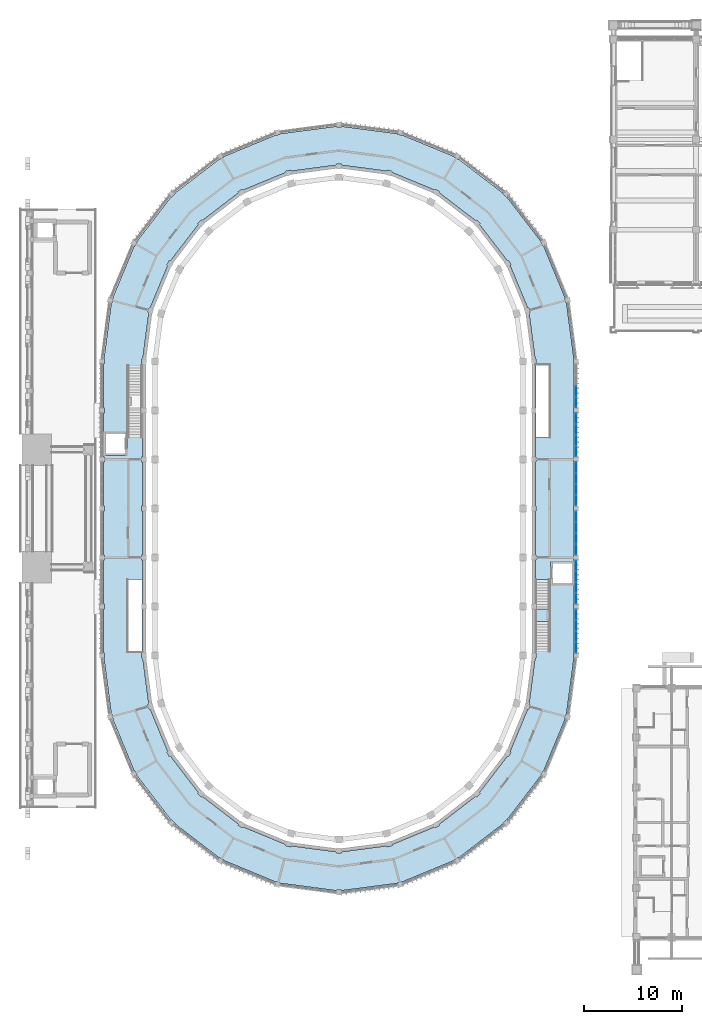
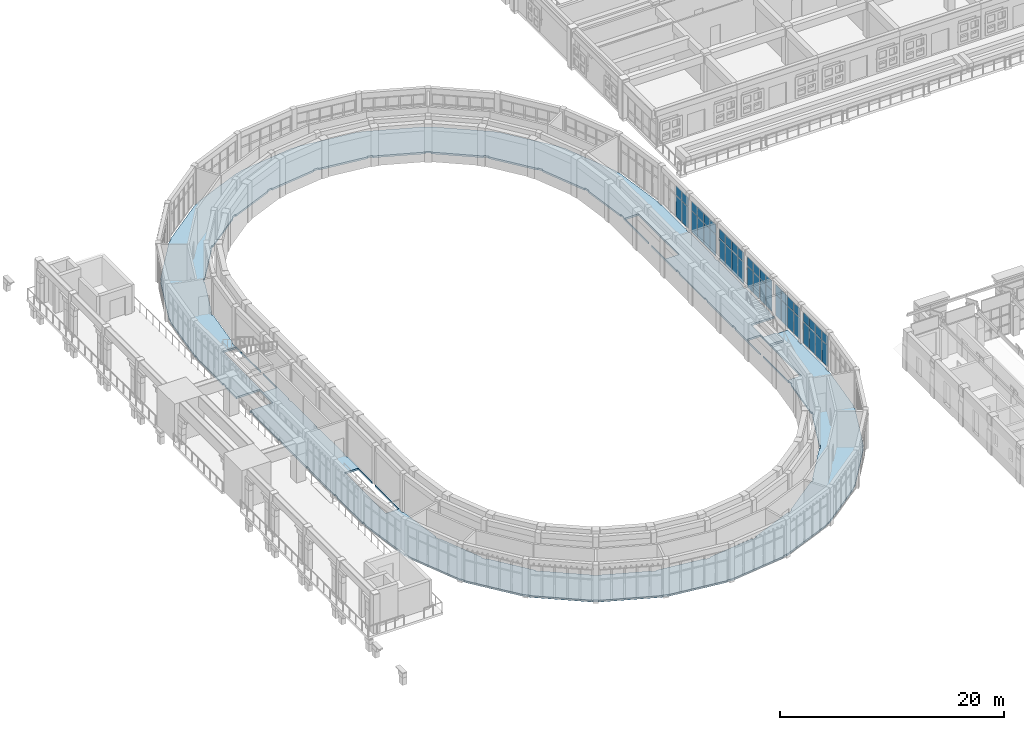
# One storey, part 42 of 99: 44 plates, 2 slabs, 7 elements without a shape of their own.
"""IFC4 building model written with IfcOpenShell, lengths in metres."""

from ifc_helpers import new_model, si_unit, direction, frame, origin, origin_2d, place, context, subcontext, project, spatial, polyline, rectangle, outline, extrude, material, layer, layer_set, type_object, element, aggregate, save


model = new_model("IFC4")

# Units and contexts
model_context = context("Model", 3, precision=1e-05, world=origin(), true_north=direction((0.0, 1.0)))
body_context = subcontext(model_context, "Body", "Model", "MODEL_VIEW")
ifc_project = project(units=[si_unit("LENGTHUNIT", "METRE"), si_unit("AREAUNIT", "SQUARE_METRE"), si_unit("VOLUMEUNIT", "CUBIC_METRE"), si_unit("PLANEANGLEUNIT", "RADIAN"), si_unit("MASSUNIT", "GRAM", prefix="KILO")], contexts=[model_context])

# Site, building, storey
site_placement = place(None, origin())
site = spatial("IfcSite", under=ifc_project, at=site_placement, CompositionType="ELEMENT")
building_placement = place(site_placement, origin())
building = spatial("IfcBuilding", under=site, at=building_placement, Name="Wasatch Bagh Community Centre", CompositionType="ELEMENT")
storey_placement = place(building_placement, frame((0.0, 0.0, 4.199951171875)))
storey = spatial("IfcBuildingStorey", under=building, at=storey_placement, Name="L01", CompositionType="ELEMENT", Elevation=4.199951171875)

# Slab
ifc_material_1 = material(Name="Concrete C35", Category="concrete")
ifc_layer_1 = layer(ifc_material_1, 0.199951171875)
ifc_layer_set_1 = layer_set([ifc_layer_1], Name="Concrete C35")
slab_type_1 = type_object("IfcSlabType", Name="Drum floor slab 200", PredefinedType="FLOOR", material=ifc_layer_set_1)
slab_1_placement = place(storey_placement, frame((0.0, 0.0, -0.199951171875)))
element("IfcSlab", 1, at=slab_1_placement, inside=storey, type_object=slab_type_1, Name="Gallery floor", PredefinedType="FLOOR", context=body_context, shape_type="SweptSolid", body=[
    extrude(outline(polyline([(15.427001953125, 77.16650390625), (15.391845703125, 77.186767578125), (18.894775390625, 81.751708984375), (18.92333984375, 81.72314453125), (19.27685546875, 82.07666015625), (19.248291015625, 82.105224609375), (23.813232421875, 85.608154296875), (23.83349609375, 85.572998046875), (24.2666015625, 85.822998046875), (24.24609375, 85.858154296875), (29.562255859375, 88.06005859375), (29.57275390625, 88.02099609375), (30.0556640625, 88.150390625), (30.045166015625, 88.189453125), (35.75, 88.940673828125), (35.75, 88.89990234375), (36.25, 88.89990234375), (36.25, 88.940673828125), (41.954833984375, 88.189453125), (41.9443359375, 88.150390625), (42.42724609375, 88.02099609375), (42.437744140625, 88.06005859375), (47.75390625, 85.858154296875), (47.7333984375, 85.822998046875), (48.16650390625, 85.572998046875), (48.186767578125, 85.608154296875), (52.751708984375, 82.105224609375), (52.72314453125, 82.07666015625), (53.07666015625, 81.72314453125), (53.105224609375, 81.751708984375), (56.608154296875, 77.186767578125), (56.572998046875, 77.16650390625), (56.822998046875, 76.7333984375), (56.858154296875, 76.75390625), (59.06005859375, 71.437744140625), (59.02099609375, 71.42724609375), (59.150390625, 70.9443359375), (59.189453125, 70.954833984375), (59.940673828125, 65.25), (59.89990234375, 65.25), (59.89990234375, 64.75), (59.97509765625, 64.75), (59.97509765625, 60.25), (59.89990234375, 60.25), (59.89990234375, 59.75), (59.97509765625, 59.75), (59.97509765625, 55.25), (59.89990234375, 55.25), (59.89990234375, 54.75), (59.97509765625, 54.75), (59.97509765625, 50.25), (59.89990234375, 50.25), (59.89990234375, 49.75), (59.97509765625, 49.75), (59.97509765625, 45.25), (59.89990234375, 45.25), (59.89990234375, 44.75), (59.97509765625, 44.75), (59.97509765625, 44.60009765625), (57.574951171875, 44.60009765625), (57.574951171875, 42.199951171875), (59.97509765625, 42.199951171875), (59.97509765625, 40.25), (59.89990234375, 40.25), (59.89990234375, 39.75), (59.97509765625, 39.75), (59.97509765625, 35.25), (59.89990234375, 35.25), (59.89990234375, 34.75), (59.940673828125, 34.75), (59.189453125, 29.045166015625), (59.150390625, 29.0556640625), (59.02099609375, 28.57275390625), (59.06005859375, 28.562255859375), (56.858154296875, 23.24609375), (56.822998046875, 23.2666015625), (56.572998046875, 22.83349609375), (56.608154296875, 22.813232421875), (53.105224609375, 18.248291015625), (53.07666015625, 18.27685546875), (52.72314453125, 17.92333984375), (52.751708984375, 17.894775390625), (48.186767578125, 14.391845703125), (48.16650390625, 14.427001953125), (47.7333984375, 14.177001953125), (47.75390625, 14.141845703125), (42.437744140625, 11.93994140625), (42.42724609375, 11.97900390625), (41.9443359375, 11.849609375), (41.954833984375, 11.810546875), (36.25, 11.059326171875), (36.25, 11.10009765625), (35.75, 11.10009765625), (35.75, 11.059326171875), (30.045166015625, 11.810546875), (30.0556640625, 11.849609375), (29.57275390625, 11.97900390625), (29.562255859375, 11.93994140625), (24.24609375, 14.141845703125), (24.2666015625, 14.177001953125), (23.83349609375, 14.427001953125), (23.813232421875, 14.391845703125), (19.248291015625, 17.894775390625), (19.27685546875, 17.92333984375), (18.92333984375, 18.27685546875), (18.894775390625, 18.248291015625), (15.391845703125, 22.813232421875), (15.427001953125, 22.83349609375), (15.177001953125, 23.2666015625), (15.141845703125, 23.24609375), (12.93994140625, 28.562255859375), (12.97900390625, 28.57275390625), (12.849609375, 29.0556640625), (12.810546875, 29.045166015625), (12.059326171875, 34.75), (12.10009765625, 34.75), (12.10009765625, 35.25), (12.02490234375, 35.25), (12.02490234375, 39.75), (12.10009765625, 39.75), (12.10009765625, 40.25), (12.02490234375, 40.25), (12.02490234375, 44.75), (12.10009765625, 44.75), (12.10009765625, 45.25), (12.02490234375, 45.25), (12.02490234375, 49.75), (12.10009765625, 49.75), (12.10009765625, 50.25), (12.02490234375, 50.25), (12.02490234375, 54.75), (12.10009765625, 54.75), (12.10009765625, 55.25), (12.02490234375, 55.25), (12.02490234375, 55.39990234375), (14.425048828125, 55.39990234375), (14.425048828125, 57.800048828125), (12.02490234375, 57.800048828125), (12.02490234375, 59.75), (12.10009765625, 59.75), (12.10009765625, 60.25), (12.02490234375, 60.25), (12.02490234375, 64.75), (12.10009765625, 64.75), (12.10009765625, 65.25), (12.059326171875, 65.25), (12.810546875, 70.954833984375), (12.849609375, 70.9443359375), (12.97900390625, 71.42724609375), (12.93994140625, 71.437744140625), (15.141845703125, 76.75390625), (15.177001953125, 76.7333984375), (15.427001953125, 77.16650390625)]), holes=[polyline([(21.9638671875, 20.6103515625), (22.039306640625, 20.685546875), (25.78662109375, 17.81005859375), (25.7333984375, 17.718017578125), (26.16650390625, 17.468017578125), (26.2197265625, 17.56005859375), (30.583740234375, 15.75244140625), (30.556396484375, 15.649658203125), (31.039306640625, 15.520263671875), (31.06689453125, 15.623046875), (35.75, 15.00634765625), (35.75, 14.89990234375), (36.25, 14.89990234375), (36.25, 15.00634765625), (40.93310546875, 15.623046875), (40.960693359375, 15.520263671875), (41.443603515625, 15.649658203125), (41.416259765625, 15.75244140625), (45.7802734375, 17.56005859375), (45.83349609375, 17.468017578125), (46.2666015625, 17.718017578125), (46.21337890625, 17.81005859375), (49.960693359375, 20.685546875), (50.0361328125, 20.6103515625), (50.3896484375, 20.9638671875), (50.314453125, 21.039306640625), (53.18994140625, 24.78662109375), (53.281982421875, 24.7333984375), (53.531982421875, 25.16650390625), (53.43994140625, 25.2197265625), (55.24755859375, 29.583740234375), (55.350341796875, 29.556396484375), (55.479736328125, 30.039306640625), (55.376953125, 30.06689453125), (55.99365234375, 34.75), (56.10009765625, 34.75), (56.10009765625, 35.25), (56.02490234375, 35.25), (56.02490234375, 39.75), (56.074951171875, 39.75), (56.074951171875, 35.419921875), (57.47509765625, 35.419921875), (57.47509765625, 42.739990234375), (56.074951171875, 42.739990234375), (56.074951171875, 40.25), (56.02490234375, 40.25), (56.02490234375, 44.75), (56.10009765625, 44.75), (56.10009765625, 45.25), (56.02490234375, 45.25), (56.02490234375, 49.75), (56.10009765625, 49.75), (56.10009765625, 50.25), (56.02490234375, 50.25), (56.02490234375, 54.75), (56.10009765625, 54.75), (56.10009765625, 55.25), (56.02490234375, 55.25), (56.02490234375, 59.75), (56.074951171875, 59.75), (56.074951171875, 57.260009765625), (57.47509765625, 57.260009765625), (57.47509765625, 64.580078125), (56.074951171875, 64.580078125), (56.074951171875, 60.25), (56.02490234375, 60.25), (56.02490234375, 64.75), (56.10009765625, 64.75), (56.10009765625, 65.25), (55.99365234375, 65.25), (55.376953125, 69.93310546875), (55.479736328125, 69.960693359375), (55.350341796875, 70.443603515625), (55.24755859375, 70.416259765625), (53.43994140625, 74.7802734375), (53.531982421875, 74.83349609375), (53.281982421875, 75.2666015625), (53.18994140625, 75.21337890625), (50.314453125, 78.960693359375), (50.3896484375, 79.0361328125), (50.0361328125, 79.3896484375), (49.960693359375, 79.314453125), (46.21337890625, 82.18994140625), (46.2666015625, 82.281982421875), (45.83349609375, 82.531982421875), (45.7802734375, 82.43994140625), (41.416259765625, 84.24755859375), (41.443603515625, 84.350341796875), (40.960693359375, 84.479736328125), (40.93310546875, 84.376953125), (36.25, 84.99365234375), (36.25, 85.10009765625), (35.75, 85.10009765625), (35.75, 84.99365234375), (31.06689453125, 84.376953125), (31.039306640625, 84.479736328125), (30.556396484375, 84.350341796875), (30.583740234375, 84.24755859375), (26.2197265625, 82.43994140625), (26.16650390625, 82.531982421875), (25.7333984375, 82.281982421875), (25.78662109375, 82.18994140625), (22.039306640625, 79.314453125), (21.9638671875, 79.3896484375), (21.6103515625, 79.0361328125), (21.685546875, 78.960693359375), (18.81005859375, 75.21337890625), (18.718017578125, 75.2666015625), (18.468017578125, 74.83349609375), (18.56005859375, 74.7802734375), (16.75244140625, 70.416259765625), (16.649658203125, 70.443603515625), (16.520263671875, 69.960693359375), (16.623046875, 69.93310546875), (16.00634765625, 65.25), (15.89990234375, 65.25), (15.89990234375, 64.75), (15.97509765625, 64.75), (15.97509765625, 60.25), (15.925048828125, 60.25), (15.925048828125, 64.580078125), (14.52490234375, 64.580078125), (14.52490234375, 57.260009765625), (15.925048828125, 57.260009765625), (15.925048828125, 59.75), (15.97509765625, 59.75), (15.97509765625, 55.25), (15.89990234375, 55.25), (15.89990234375, 54.75), (15.97509765625, 54.75), (15.97509765625, 50.25), (15.89990234375, 50.25), (15.89990234375, 49.75), (15.97509765625, 49.75), (15.97509765625, 45.25), (15.89990234375, 45.25), (15.89990234375, 44.75), (15.97509765625, 44.75), (15.97509765625, 40.25), (15.925048828125, 40.25), (15.925048828125, 42.739990234375), (14.52490234375, 42.739990234375), (14.52490234375, 35.419921875), (15.925048828125, 35.419921875), (15.925048828125, 39.75), (15.97509765625, 39.75), (15.97509765625, 35.25), (15.89990234375, 35.25), (15.89990234375, 34.75), (16.00634765625, 34.75), (16.623046875, 30.06689453125), (16.520263671875, 30.039306640625), (16.649658203125, 29.556396484375), (16.75244140625, 29.583740234375), (18.56005859375, 25.2197265625), (18.468017578125, 25.16650390625), (18.718017578125, 24.7333984375), (18.81005859375, 24.78662109375), (21.685546875, 21.039306640625), (21.6103515625, 20.9638671875), (21.9638671875, 20.6103515625)])]), origin(), (0.0, 0.0, 1.0), 0.199951171875),
])

# Curtain wall, plates
ifc_material_2 = material(Name="Aluminium curtain wall frame with low-iron insulated glass", Category="aluminium")
ifc_layer_2 = layer(ifc_material_2, 0.14990234375)
ifc_layer_set_2 = layer_set([ifc_layer_2], Name="Aluminium curtain wall frame with low-iron insulated glass")
curtain_wall_type = type_object("IfcCurtainWallType", Name="Drum curtain wall DR-CW4", PredefinedType="NOTDEFINED", material=ifc_layer_set_2)
curtain_wall_1_placement = place(storey_placement, origin())
curtain_wall_1 = element("IfcCurtainWall", 2, at=curtain_wall_1_placement, inside=storey, type_object=curtain_wall_type, Name="Curtain wall DR-CW4 13", PredefinedType="NOTDEFINED")
ifc_material_3 = material(Name="Low-iron insulated glass", Category="glass")
ifc_layer_3 = layer(ifc_material_3, 0.028076171875)
ifc_layer_set_3 = layer_set([ifc_layer_3], Name="Low-iron insulated glass")
plate_type = type_object("IfcPlateType", Name="Drum glass panel DR-CW4", PredefinedType="CURTAIN_PANEL", material=ifc_layer_set_3)
plate_1_placement = place(storey_placement, frame((60.14990234375, 35.827880859375, 0.06005859375), z_axis=(0.0, 0.0, 1.0), x_axis=(0.0, 1.0, 0.0)))
plate_1 = element("IfcPlate", 3, at=plate_1_placement, type_object=plate_type, Name="DR-CW4 panel 1.1", PredefinedType="CURTAIN_PANEL", context=body_context, shape_type="SweptSolid", body=[
    extrude(rectangle(XDim=1.03466796875, YDim=0.028076171875, at=origin_2d()), origin(), (0.0, 0.0, 1.0), 2.31005859375),
])
plate_2_placement = place(storey_placement, frame((60.14990234375, 35.827880859375, 2.43017578125), z_axis=(0.0, 0.0, 1.0), x_axis=(0.0, 1.0, 0.0)))
plate_2 = element("IfcPlate", 4, at=plate_2_placement, type_object=plate_type, Name="DR-CW4 panel 1.2", PredefinedType="CURTAIN_PANEL", context=body_context, shape_type="SweptSolid", body=[
    extrude(rectangle(XDim=1.03466796875, YDim=0.028076171875, at=origin_2d()), origin(), (0.0, 0.0, 1.0), 1.010009765625),
])
plate_3_placement = place(storey_placement, frame((60.14990234375, 36.937744140625, 0.06005859375), z_axis=(0.0, 0.0, 1.0), x_axis=(0.0, 1.0, 0.0)))
plate_3 = element("IfcPlate", 5, at=plate_3_placement, type_object=plate_type, Name="DR-CW4 panel 2.1", PredefinedType="CURTAIN_PANEL", context=body_context, shape_type="SweptSolid", body=[
    extrude(rectangle(XDim=1.064697265625, YDim=0.028076171875, at=origin_2d()), origin(), (0.0, 0.0, 1.0), 2.31005859375),
])
plate_4_placement = place(storey_placement, frame((60.14990234375, 36.937744140625, 2.43017578125), z_axis=(0.0, 0.0, 1.0), x_axis=(0.0, 1.0, 0.0)))
plate_4 = element("IfcPlate", 6, at=plate_4_placement, type_object=plate_type, Name="DR-CW4 panel 2.2", PredefinedType="CURTAIN_PANEL", context=body_context, shape_type="SweptSolid", body=[
    extrude(rectangle(XDim=1.064697265625, YDim=0.028076171875, at=origin_2d()), origin(), (0.0, 0.0, 1.0), 1.010009765625),
])
plate_5_placement = place(storey_placement, frame((60.14990234375, 38.062255859375, 0.06005859375), z_axis=(0.0, 0.0, 1.0), x_axis=(0.0, 1.0, 0.0)))
plate_5 = element("IfcPlate", 7, at=plate_5_placement, type_object=plate_type, Name="DR-CW4 panel 3.1", PredefinedType="CURTAIN_PANEL", context=body_context, shape_type="SweptSolid", body=[
    extrude(rectangle(XDim=1.064697265625, YDim=0.028076171875, at=origin_2d()), origin(), (0.0, 0.0, 1.0), 2.31005859375),
])
plate_6_placement = place(storey_placement, frame((60.14990234375, 38.062255859375, 2.43017578125), z_axis=(0.0, 0.0, 1.0), x_axis=(0.0, 1.0, 0.0)))
plate_6 = element("IfcPlate", 8, at=plate_6_placement, type_object=plate_type, Name="DR-CW4 panel 3.2", PredefinedType="CURTAIN_PANEL", context=body_context, shape_type="SweptSolid", body=[
    extrude(rectangle(XDim=1.064697265625, YDim=0.028076171875, at=origin_2d()), origin(), (0.0, 0.0, 1.0), 1.010009765625),
])
plate_7_placement = place(storey_placement, frame((60.14990234375, 39.172119140625, 0.06005859375), z_axis=(0.0, 0.0, 1.0), x_axis=(0.0, 1.0, 0.0)))
plate_7 = element("IfcPlate", 9, at=plate_7_placement, type_object=plate_type, Name="DR-CW4 panel 4.1", PredefinedType="CURTAIN_PANEL", context=body_context, shape_type="SweptSolid", body=[
    extrude(rectangle(XDim=1.03466796875, YDim=0.028076171875, at=origin_2d()), origin(), (0.0, 0.0, 1.0), 2.31005859375),
])
plate_8_placement = place(storey_placement, frame((60.14990234375, 39.172119140625, 2.43017578125), z_axis=(0.0, 0.0, 1.0), x_axis=(0.0, 1.0, 0.0)))
plate_8 = element("IfcPlate", 10, at=plate_8_placement, type_object=plate_type, Name="DR-CW4 panel 4.2", PredefinedType="CURTAIN_PANEL", context=body_context, shape_type="SweptSolid", body=[
    extrude(rectangle(XDim=1.03466796875, YDim=0.028076171875, at=origin_2d()), origin(), (0.0, 0.0, 1.0), 1.010009765625),
])
aggregate(curtain_wall_1, [plate_1, plate_2, plate_3, plate_4, plate_5, plate_6, plate_7, plate_8])

curtain_wall_2_placement = place(storey_placement, origin())
curtain_wall_2 = element("IfcCurtainWall", 11, at=curtain_wall_2_placement, inside=storey, type_object=curtain_wall_type, Name="Curtain wall DR-CW4 14", PredefinedType="NOTDEFINED")
plate_9_placement = place(storey_placement, frame((60.14990234375, 40.827880859375, 0.06005859375), z_axis=(0.0, 0.0, 1.0), x_axis=(0.0, 1.0, 0.0)))
plate_9 = element("IfcPlate", 12, at=plate_9_placement, type_object=plate_type, Name="DR-CW4 panel 1.1", PredefinedType="CURTAIN_PANEL", context=body_context, shape_type="SweptSolid", body=[
    extrude(rectangle(XDim=1.03466796875, YDim=0.028076171875, at=origin_2d()), origin(), (0.0, 0.0, 1.0), 2.31005859375),
])
plate_10_placement = place(storey_placement, frame((60.14990234375, 40.827880859375, 2.43017578125), z_axis=(0.0, 0.0, 1.0), x_axis=(0.0, 1.0, 0.0)))
plate_10 = element("IfcPlate", 13, at=plate_10_placement, type_object=plate_type, Name="DR-CW4 panel 1.2", PredefinedType="CURTAIN_PANEL", context=body_context, shape_type="SweptSolid", body=[
    extrude(rectangle(XDim=1.03466796875, YDim=0.028076171875, at=origin_2d()), origin(), (0.0, 0.0, 1.0), 1.010009765625),
])
plate_11_placement = place(storey_placement, frame((60.14990234375, 41.937744140625, 0.06005859375), z_axis=(0.0, 0.0, 1.0), x_axis=(0.0, 1.0, 0.0)))
plate_11 = element("IfcPlate", 14, at=plate_11_placement, type_object=plate_type, Name="DR-CW4 panel 2.1", PredefinedType="CURTAIN_PANEL", context=body_context, shape_type="SweptSolid", body=[
    extrude(rectangle(XDim=1.064697265625, YDim=0.028076171875, at=origin_2d()), origin(), (0.0, 0.0, 1.0), 2.31005859375),
])
plate_12_placement = place(storey_placement, frame((60.14990234375, 41.937744140625, 2.43017578125), z_axis=(0.0, 0.0, 1.0), x_axis=(0.0, 1.0, 0.0)))
plate_12 = element("IfcPlate", 15, at=plate_12_placement, type_object=plate_type, Name="DR-CW4 panel 2.2", PredefinedType="CURTAIN_PANEL", context=body_context, shape_type="SweptSolid", body=[
    extrude(rectangle(XDim=1.064697265625, YDim=0.028076171875, at=origin_2d()), origin(), (0.0, 0.0, 1.0), 1.010009765625),
])
plate_13_placement = place(storey_placement, frame((60.14990234375, 43.062255859375, 0.06005859375), z_axis=(0.0, 0.0, 1.0), x_axis=(0.0, 1.0, 0.0)))
plate_13 = element("IfcPlate", 16, at=plate_13_placement, type_object=plate_type, Name="DR-CW4 panel 3.1", PredefinedType="CURTAIN_PANEL", context=body_context, shape_type="SweptSolid", body=[
    extrude(rectangle(XDim=1.064697265625, YDim=0.028076171875, at=origin_2d()), origin(), (0.0, 0.0, 1.0), 2.31005859375),
])
plate_14_placement = place(storey_placement, frame((60.14990234375, 43.062255859375, 2.43017578125), z_axis=(0.0, 0.0, 1.0), x_axis=(0.0, 1.0, 0.0)))
plate_14 = element("IfcPlate", 17, at=plate_14_placement, type_object=plate_type, Name="DR-CW4 panel 3.2", PredefinedType="CURTAIN_PANEL", context=body_context, shape_type="SweptSolid", body=[
    extrude(rectangle(XDim=1.064697265625, YDim=0.028076171875, at=origin_2d()), origin(), (0.0, 0.0, 1.0), 1.010009765625),
])
plate_15_placement = place(storey_placement, frame((60.14990234375, 44.172119140625, 0.06005859375), z_axis=(0.0, 0.0, 1.0), x_axis=(0.0, 1.0, 0.0)))
plate_15 = element("IfcPlate", 18, at=plate_15_placement, type_object=plate_type, Name="DR-CW4 panel 4.1", PredefinedType="CURTAIN_PANEL", context=body_context, shape_type="SweptSolid", body=[
    extrude(rectangle(XDim=1.03466796875, YDim=0.028076171875, at=origin_2d()), origin(), (0.0, 0.0, 1.0), 2.31005859375),
])
plate_16_placement = place(storey_placement, frame((60.14990234375, 44.172119140625, 2.43017578125), z_axis=(0.0, 0.0, 1.0), x_axis=(0.0, 1.0, 0.0)))
plate_16 = element("IfcPlate", 19, at=plate_16_placement, type_object=plate_type, Name="DR-CW4 panel 4.2", PredefinedType="CURTAIN_PANEL", context=body_context, shape_type="SweptSolid", body=[
    extrude(rectangle(XDim=1.03466796875, YDim=0.028076171875, at=origin_2d()), origin(), (0.0, 0.0, 1.0), 1.010009765625),
])
aggregate(curtain_wall_2, [plate_9, plate_10, plate_11, plate_12, plate_13, plate_14, plate_15, plate_16])

curtain_wall_3_placement = place(storey_placement, origin())
curtain_wall_3 = element("IfcCurtainWall", 20, at=curtain_wall_3_placement, inside=storey, type_object=curtain_wall_type, Name="Curtain wall DR-CW4 15", PredefinedType="NOTDEFINED")
plate_17_placement = place(storey_placement, frame((60.14990234375, 45.827880859375, 0.06005859375), z_axis=(0.0, 0.0, 1.0), x_axis=(0.0, 1.0, 0.0)))
plate_17 = element("IfcPlate", 21, at=plate_17_placement, type_object=plate_type, Name="DR-CW4 panel 1.1", PredefinedType="CURTAIN_PANEL", context=body_context, shape_type="SweptSolid", body=[
    extrude(rectangle(XDim=1.03466796875, YDim=0.028076171875, at=origin_2d()), origin(), (0.0, 0.0, 1.0), 2.31005859375),
])
plate_18_placement = place(storey_placement, frame((60.14990234375, 45.827880859375, 2.43017578125), z_axis=(0.0, 0.0, 1.0), x_axis=(0.0, 1.0, 0.0)))
plate_18 = element("IfcPlate", 22, at=plate_18_placement, type_object=plate_type, Name="DR-CW4 panel 1.2", PredefinedType="CURTAIN_PANEL", context=body_context, shape_type="SweptSolid", body=[
    extrude(rectangle(XDim=1.03466796875, YDim=0.028076171875, at=origin_2d()), origin(), (0.0, 0.0, 1.0), 1.010009765625),
])
plate_19_placement = place(storey_placement, frame((60.14990234375, 46.937744140625, 0.06005859375), z_axis=(0.0, 0.0, 1.0), x_axis=(0.0, 1.0, 0.0)))
plate_19 = element("IfcPlate", 23, at=plate_19_placement, type_object=plate_type, Name="DR-CW4 panel 2.1", PredefinedType="CURTAIN_PANEL", context=body_context, shape_type="SweptSolid", body=[
    extrude(rectangle(XDim=1.064697265625, YDim=0.028076171875, at=origin_2d()), origin(), (0.0, 0.0, 1.0), 2.31005859375),
])
plate_20_placement = place(storey_placement, frame((60.14990234375, 46.937744140625, 2.43017578125), z_axis=(0.0, 0.0, 1.0), x_axis=(0.0, 1.0, 0.0)))
plate_20 = element("IfcPlate", 24, at=plate_20_placement, type_object=plate_type, Name="DR-CW4 panel 2.2", PredefinedType="CURTAIN_PANEL", context=body_context, shape_type="SweptSolid", body=[
    extrude(rectangle(XDim=1.064697265625, YDim=0.028076171875, at=origin_2d()), origin(), (0.0, 0.0, 1.0), 1.010009765625),
])
plate_21_placement = place(storey_placement, frame((60.14990234375, 48.062255859375, 0.06005859375), z_axis=(0.0, 0.0, 1.0), x_axis=(0.0, 1.0, 0.0)))
plate_21 = element("IfcPlate", 25, at=plate_21_placement, type_object=plate_type, Name="DR-CW4 panel 3.1", PredefinedType="CURTAIN_PANEL", context=body_context, shape_type="SweptSolid", body=[
    extrude(rectangle(XDim=1.064697265625, YDim=0.028076171875, at=origin_2d()), origin(), (0.0, 0.0, 1.0), 2.31005859375),
])
plate_22_placement = place(storey_placement, frame((60.14990234375, 48.062255859375, 2.43017578125), z_axis=(0.0, 0.0, 1.0), x_axis=(0.0, 1.0, 0.0)))
plate_22 = element("IfcPlate", 26, at=plate_22_placement, type_object=plate_type, Name="DR-CW4 panel 3.2", PredefinedType="CURTAIN_PANEL", context=body_context, shape_type="SweptSolid", body=[
    extrude(rectangle(XDim=1.064697265625, YDim=0.028076171875, at=origin_2d()), origin(), (0.0, 0.0, 1.0), 1.010009765625),
])
plate_23_placement = place(storey_placement, frame((60.14990234375, 49.172119140625, 0.06005859375), z_axis=(0.0, 0.0, 1.0), x_axis=(0.0, 1.0, 0.0)))
plate_23 = element("IfcPlate", 27, at=plate_23_placement, type_object=plate_type, Name="DR-CW4 panel 4.1", PredefinedType="CURTAIN_PANEL", context=body_context, shape_type="SweptSolid", body=[
    extrude(rectangle(XDim=1.03466796875, YDim=0.028076171875, at=origin_2d()), origin(), (0.0, 0.0, 1.0), 2.31005859375),
])
plate_24_placement = place(storey_placement, frame((60.14990234375, 49.172119140625, 2.43017578125), z_axis=(0.0, 0.0, 1.0), x_axis=(0.0, 1.0, 0.0)))
plate_24 = element("IfcPlate", 28, at=plate_24_placement, type_object=plate_type, Name="DR-CW4 panel 4.2", PredefinedType="CURTAIN_PANEL", context=body_context, shape_type="SweptSolid", body=[
    extrude(rectangle(XDim=1.03466796875, YDim=0.028076171875, at=origin_2d()), origin(), (0.0, 0.0, 1.0), 1.010009765625),
])
aggregate(curtain_wall_3, [plate_17, plate_18, plate_19, plate_20, plate_21, plate_22, plate_23, plate_24])

curtain_wall_4_placement = place(storey_placement, origin())
curtain_wall_4 = element("IfcCurtainWall", 29, at=curtain_wall_4_placement, inside=storey, type_object=curtain_wall_type, Name="Curtain wall DR-CW4 16", PredefinedType="NOTDEFINED")
plate_25_placement = place(storey_placement, frame((60.14990234375, 50.827880859375, 0.06005859375), z_axis=(0.0, 0.0, 1.0), x_axis=(0.0, 1.0, 0.0)))
plate_25 = element("IfcPlate", 30, at=plate_25_placement, type_object=plate_type, Name="DR-CW4 panel 1.1", PredefinedType="CURTAIN_PANEL", context=body_context, shape_type="SweptSolid", body=[
    extrude(rectangle(XDim=1.03466796875, YDim=0.028076171875, at=origin_2d()), origin(), (0.0, 0.0, 1.0), 2.31005859375),
])
plate_26_placement = place(storey_placement, frame((60.14990234375, 50.827880859375, 2.43017578125), z_axis=(0.0, 0.0, 1.0), x_axis=(0.0, 1.0, 0.0)))
plate_26 = element("IfcPlate", 31, at=plate_26_placement, type_object=plate_type, Name="DR-CW4 panel 1.2", PredefinedType="CURTAIN_PANEL", context=body_context, shape_type="SweptSolid", body=[
    extrude(rectangle(XDim=1.03466796875, YDim=0.028076171875, at=origin_2d()), origin(), (0.0, 0.0, 1.0), 1.010009765625),
])
plate_27_placement = place(storey_placement, frame((60.14990234375, 51.937744140625, 0.06005859375), z_axis=(0.0, 0.0, 1.0), x_axis=(0.0, 1.0, 0.0)))
plate_27 = element("IfcPlate", 32, at=plate_27_placement, type_object=plate_type, Name="DR-CW4 panel 2.1", PredefinedType="CURTAIN_PANEL", context=body_context, shape_type="SweptSolid", body=[
    extrude(rectangle(XDim=1.064697265625, YDim=0.028076171875, at=origin_2d()), origin(), (0.0, 0.0, 1.0), 2.31005859375),
])
plate_28_placement = place(storey_placement, frame((60.14990234375, 51.937744140625, 2.43017578125), z_axis=(0.0, 0.0, 1.0), x_axis=(0.0, 1.0, 0.0)))
plate_28 = element("IfcPlate", 33, at=plate_28_placement, type_object=plate_type, Name="DR-CW4 panel 2.2", PredefinedType="CURTAIN_PANEL", context=body_context, shape_type="SweptSolid", body=[
    extrude(rectangle(XDim=1.064697265625, YDim=0.028076171875, at=origin_2d()), origin(), (0.0, 0.0, 1.0), 1.010009765625),
])
plate_29_placement = place(storey_placement, frame((60.14990234375, 53.062255859375, 0.06005859375), z_axis=(0.0, 0.0, 1.0), x_axis=(0.0, 1.0, 0.0)))
plate_29 = element("IfcPlate", 34, at=plate_29_placement, type_object=plate_type, Name="DR-CW4 panel 3.1", PredefinedType="CURTAIN_PANEL", context=body_context, shape_type="SweptSolid", body=[
    extrude(rectangle(XDim=1.064697265625, YDim=0.028076171875, at=origin_2d()), origin(), (0.0, 0.0, 1.0), 2.31005859375),
])
plate_30_placement = place(storey_placement, frame((60.14990234375, 53.062255859375, 2.43017578125), z_axis=(0.0, 0.0, 1.0), x_axis=(0.0, 1.0, 0.0)))
plate_30 = element("IfcPlate", 35, at=plate_30_placement, type_object=plate_type, Name="DR-CW4 panel 3.2", PredefinedType="CURTAIN_PANEL", context=body_context, shape_type="SweptSolid", body=[
    extrude(rectangle(XDim=1.064697265625, YDim=0.028076171875, at=origin_2d()), origin(), (0.0, 0.0, 1.0), 1.010009765625),
])
plate_31_placement = place(storey_placement, frame((60.14990234375, 54.172119140625, 0.06005859375), z_axis=(0.0, 0.0, 1.0), x_axis=(0.0, 1.0, 0.0)))
plate_31 = element("IfcPlate", 36, at=plate_31_placement, type_object=plate_type, Name="DR-CW4 panel 4.1", PredefinedType="CURTAIN_PANEL", context=body_context, shape_type="SweptSolid", body=[
    extrude(rectangle(XDim=1.03466796875, YDim=0.028076171875, at=origin_2d()), origin(), (0.0, 0.0, 1.0), 2.31005859375),
])
plate_32_placement = place(storey_placement, frame((60.14990234375, 54.172119140625, 2.43017578125), z_axis=(0.0, 0.0, 1.0), x_axis=(0.0, 1.0, 0.0)))
plate_32 = element("IfcPlate", 37, at=plate_32_placement, type_object=plate_type, Name="DR-CW4 panel 4.2", PredefinedType="CURTAIN_PANEL", context=body_context, shape_type="SweptSolid", body=[
    extrude(rectangle(XDim=1.03466796875, YDim=0.028076171875, at=origin_2d()), origin(), (0.0, 0.0, 1.0), 1.010009765625),
])
aggregate(curtain_wall_4, [plate_25, plate_26, plate_27, plate_28, plate_29, plate_30, plate_31, plate_32])

curtain_wall_5_placement = place(storey_placement, origin())
curtain_wall_5 = element("IfcCurtainWall", 38, at=curtain_wall_5_placement, inside=storey, type_object=curtain_wall_type, Name="Curtain wall DR-CW4 17", PredefinedType="NOTDEFINED")
plate_33_placement = place(storey_placement, frame((60.14990234375, 55.827880859375, 0.06005859375), z_axis=(0.0, 0.0, 1.0), x_axis=(0.0, 1.0, 0.0)))
plate_33 = element("IfcPlate", 39, at=plate_33_placement, type_object=plate_type, Name="DR-CW4 panel 1.1", PredefinedType="CURTAIN_PANEL", context=body_context, shape_type="SweptSolid", body=[
    extrude(rectangle(XDim=1.03466796875, YDim=0.028076171875, at=origin_2d()), origin(), (0.0, 0.0, 1.0), 2.31005859375),
])
plate_34_placement = place(storey_placement, frame((60.14990234375, 55.827880859375, 2.43017578125), z_axis=(0.0, 0.0, 1.0), x_axis=(0.0, 1.0, 0.0)))
plate_34 = element("IfcPlate", 40, at=plate_34_placement, type_object=plate_type, Name="DR-CW4 panel 1.2", PredefinedType="CURTAIN_PANEL", context=body_context, shape_type="SweptSolid", body=[
    extrude(rectangle(XDim=1.03466796875, YDim=0.028076171875, at=origin_2d()), origin(), (0.0, 0.0, 1.0), 1.010009765625),
])
plate_35_placement = place(storey_placement, frame((60.14990234375, 56.937744140625, 0.06005859375), z_axis=(0.0, 0.0, 1.0), x_axis=(0.0, 1.0, 0.0)))
plate_35 = element("IfcPlate", 41, at=plate_35_placement, type_object=plate_type, Name="DR-CW4 panel 2.1", PredefinedType="CURTAIN_PANEL", context=body_context, shape_type="SweptSolid", body=[
    extrude(rectangle(XDim=1.064697265625, YDim=0.028076171875, at=origin_2d()), origin(), (0.0, 0.0, 1.0), 2.31005859375),
])
plate_36_placement = place(storey_placement, frame((60.14990234375, 56.937744140625, 2.43017578125), z_axis=(0.0, 0.0, 1.0), x_axis=(0.0, 1.0, 0.0)))
plate_36 = element("IfcPlate", 42, at=plate_36_placement, type_object=plate_type, Name="DR-CW4 panel 2.2", PredefinedType="CURTAIN_PANEL", context=body_context, shape_type="SweptSolid", body=[
    extrude(rectangle(XDim=1.064697265625, YDim=0.028076171875, at=origin_2d()), origin(), (0.0, 0.0, 1.0), 1.010009765625),
])
plate_37_placement = place(storey_placement, frame((60.14990234375, 58.062255859375, 0.06005859375), z_axis=(0.0, 0.0, 1.0), x_axis=(0.0, 1.0, 0.0)))
plate_37 = element("IfcPlate", 43, at=plate_37_placement, type_object=plate_type, Name="DR-CW4 panel 3.1", PredefinedType="CURTAIN_PANEL", context=body_context, shape_type="SweptSolid", body=[
    extrude(rectangle(XDim=1.064697265625, YDim=0.028076171875, at=origin_2d()), origin(), (0.0, 0.0, 1.0), 2.31005859375),
])
plate_38_placement = place(storey_placement, frame((60.14990234375, 58.062255859375, 2.43017578125), z_axis=(0.0, 0.0, 1.0), x_axis=(0.0, 1.0, 0.0)))
plate_38 = element("IfcPlate", 44, at=plate_38_placement, type_object=plate_type, Name="DR-CW4 panel 3.2", PredefinedType="CURTAIN_PANEL", context=body_context, shape_type="SweptSolid", body=[
    extrude(rectangle(XDim=1.064697265625, YDim=0.028076171875, at=origin_2d()), origin(), (0.0, 0.0, 1.0), 1.010009765625),
])
plate_39_placement = place(storey_placement, frame((60.14990234375, 59.172119140625, 0.06005859375), z_axis=(0.0, 0.0, 1.0), x_axis=(0.0, 1.0, 0.0)))
plate_39 = element("IfcPlate", 45, at=plate_39_placement, type_object=plate_type, Name="DR-CW4 panel 4.1", PredefinedType="CURTAIN_PANEL", context=body_context, shape_type="SweptSolid", body=[
    extrude(rectangle(XDim=1.03466796875, YDim=0.028076171875, at=origin_2d()), origin(), (0.0, 0.0, 1.0), 2.31005859375),
])
plate_40_placement = place(storey_placement, frame((60.14990234375, 59.172119140625, 2.43017578125), z_axis=(0.0, 0.0, 1.0), x_axis=(0.0, 1.0, 0.0)))
plate_40 = element("IfcPlate", 46, at=plate_40_placement, type_object=plate_type, Name="DR-CW4 panel 4.2", PredefinedType="CURTAIN_PANEL", context=body_context, shape_type="SweptSolid", body=[
    extrude(rectangle(XDim=1.03466796875, YDim=0.028076171875, at=origin_2d()), origin(), (0.0, 0.0, 1.0), 1.010009765625),
])
aggregate(curtain_wall_5, [plate_33, plate_34, plate_35, plate_36, plate_37, plate_38, plate_39, plate_40])

curtain_wall_6_placement = place(storey_placement, origin())
curtain_wall_6 = element("IfcCurtainWall", 47, at=curtain_wall_6_placement, inside=storey, type_object=curtain_wall_type, Name="Curtain wall DR-CW4 18", PredefinedType="NOTDEFINED")
plate_41_placement = place(storey_placement, frame((60.14990234375, 60.827880859375, 0.06005859375), z_axis=(0.0, 0.0, 1.0), x_axis=(0.0, 1.0, 0.0)))
plate_41 = element("IfcPlate", 48, at=plate_41_placement, type_object=plate_type, Name="DR-CW4 panel 1.1", PredefinedType="CURTAIN_PANEL", context=body_context, shape_type="SweptSolid", body=[
    extrude(rectangle(XDim=1.03466796875, YDim=0.028076171875, at=origin_2d()), origin(), (0.0, 0.0, 1.0), 2.31005859375),
])
plate_42_placement = place(storey_placement, frame((60.14990234375, 60.827880859375, 2.43017578125), z_axis=(0.0, 0.0, 1.0), x_axis=(0.0, 1.0, 0.0)))
plate_42 = element("IfcPlate", 49, at=plate_42_placement, type_object=plate_type, Name="DR-CW4 panel 1.2", PredefinedType="CURTAIN_PANEL", context=body_context, shape_type="SweptSolid", body=[
    extrude(rectangle(XDim=1.03466796875, YDim=0.028076171875, at=origin_2d()), origin(), (0.0, 0.0, 1.0), 1.010009765625),
])
plate_43_placement = place(storey_placement, frame((60.14990234375, 61.937744140625, 0.06005859375), z_axis=(0.0, 0.0, 1.0), x_axis=(0.0, 1.0, 0.0)))
plate_43 = element("IfcPlate", 50, at=plate_43_placement, type_object=plate_type, Name="DR-CW4 panel 2.1", PredefinedType="CURTAIN_PANEL", context=body_context, shape_type="SweptSolid", body=[
    extrude(rectangle(XDim=1.064697265625, YDim=0.028076171875, at=origin_2d()), origin(), (0.0, 0.0, 1.0), 2.31005859375),
])
plate_44_placement = place(storey_placement, frame((60.14990234375, 61.937744140625, 2.43017578125), z_axis=(0.0, 0.0, 1.0), x_axis=(0.0, 1.0, 0.0)))
plate_44 = element("IfcPlate", 51, at=plate_44_placement, type_object=plate_type, Name="DR-CW4 panel 2.2", PredefinedType="CURTAIN_PANEL", context=body_context, shape_type="SweptSolid", body=[
    extrude(rectangle(XDim=1.064697265625, YDim=0.028076171875, at=origin_2d()), origin(), (0.0, 0.0, 1.0), 1.010009765625),
])
aggregate(curtain_wall_6, [plate_41, plate_42, plate_43, plate_44])

# Stair, slab
stair_type = type_object("IfcStairType", Name="Drum stair 175 x 280", PredefinedType="STRAIGHT_RUN_STAIR", material=ifc_material_1)
stair_placement = place(storey_placement, origin())
stair = element("IfcStair", 52, at=stair_placement, inside=storey, type_object=stair_type, Name="Stair SE0", PredefinedType="STRAIGHT_RUN_STAIR")
ifc_layer_4 = layer(ifc_material_1, 0.199951171875)
ifc_layer_set_4 = layer_set([ifc_layer_4], Name="Concrete C35")
slab_type_2 = type_object("IfcSlabType", Name="Drum stair landing 200", PredefinedType="LANDING", material=ifc_layer_set_4)
slab_2_placement = place(storey_placement, frame((0.0, 0.0, 1.900146484375)))
slab_2 = element("IfcSlab", 53, at=slab_2_placement, type_object=slab_type_2, Name="FST3 landing 1", PredefinedType="LANDING", context=body_context, shape_type="SweptSolid", body=[
    extrude(outline(polyline([(55.97509765625, 38.4599609375), (57.375, 38.4599609375), (57.375, 39.75), (55.97509765625, 39.75), (55.97509765625, 38.4599609375)])), origin(), (0.0, 0.0, 1.0), 0.199951171875),
])
aggregate(stair, [slab_2])

save(model, "model.ifc")
